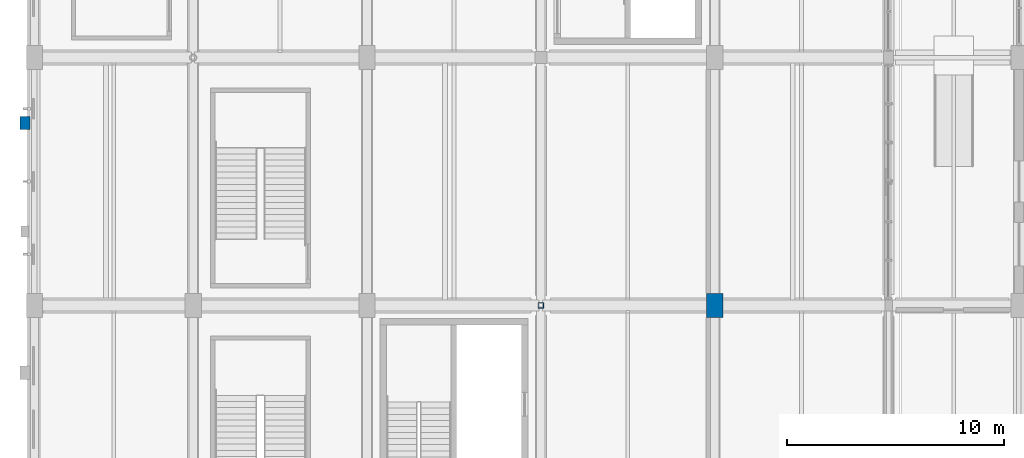
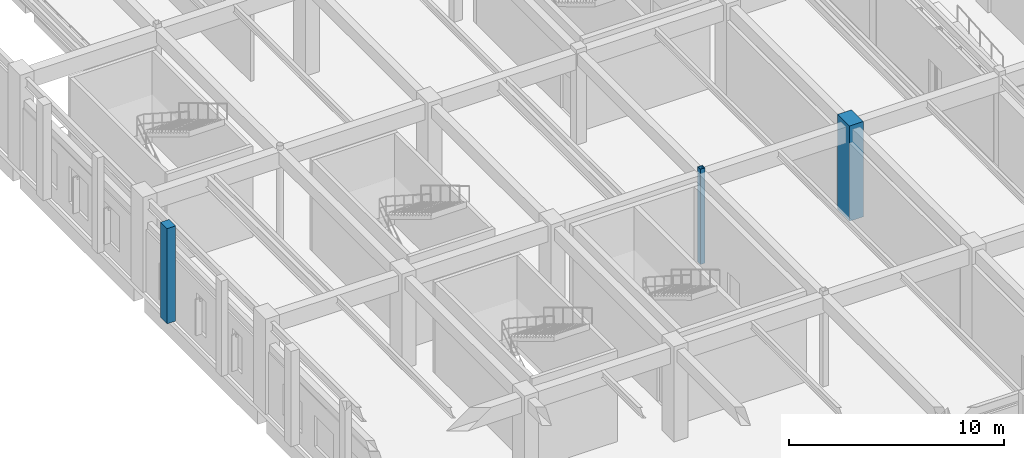
# One storey, part 2 of 113: 3 columns.
"""IFC4 building model written with IfcOpenShell, lengths in metres."""

from ifc_helpers import new_model, si_unit, direction, frame, origin, origin_2d, place, context, subcontext, project, spatial, rectangle, hollow_rectangle, extrude, material, material_profile, profile_set, type_object, element, save


model = new_model("IFC4")

# Units and contexts
model_context = context("Model", 3, precision=1e-05, world=origin(), true_north=direction((0.0, 1.0)))
body_context = subcontext(model_context, "Body", "Model", "MODEL_VIEW")
ifc_project = project(units=[si_unit("LENGTHUNIT", "METRE"), si_unit("AREAUNIT", "SQUARE_METRE"), si_unit("VOLUMEUNIT", "CUBIC_METRE"), si_unit("PLANEANGLEUNIT", "RADIAN"), si_unit("MASSUNIT", "GRAM", prefix="KILO"), si_unit("POWERUNIT", "WATT"), si_unit("THERMODYNAMICTEMPERATUREUNIT", "KELVIN")], contexts=[model_context])

# Site, building, storey
site_placement = place(None, origin())
site = spatial("IfcSite", under=ifc_project, at=site_placement, CompositionType="ELEMENT")
building_placement = place(site_placement, origin())
building = spatial("IfcBuilding", under=site, at=building_placement, Name="Kelmbourne Parkland Aquatics Centre", CompositionType="ELEMENT")
storey_placement = place(building_placement, origin())
storey = spatial("IfcBuildingStorey", under=building, at=storey_placement, Name="L00", CompositionType="ELEMENT", Elevation=0.0)

# Columns
ifc_material_1 = material(Name="Concrete C40/50", Category="concrete")
ifc_material_profile_1 = material_profile(ifc_material_1, rectangle(XDim=0.75, YDim=1.10009765625, at=origin_2d()), Name="RC 750x1100")
ifc_profile_set_1 = profile_set([ifc_material_profile_1], Name="Concrete C40/50")
column_type_1 = type_object("IfcColumnType", Name="COL-C03", PredefinedType="COLUMN", material=ifc_profile_set_1)
column_1_placement = place(storey_placement, frame((32.0, 23.60009765625, 0.0), z_axis=(0.0, 0.0, 1.0), x_axis=(1.0, 0.0, 0.0)))
element("IfcColumn", 1, at=column_1_placement, inside=storey, type_object=column_type_1, Name="Structural column E-04 (L00)", PredefinedType="COLUMN", context=body_context, shape_type="SweptSolid", body=[
    extrude(rectangle(XDim=0.75, YDim=1.10009765625, at=origin_2d()), origin(), (0.0, 0.0, 1.0), 5.39990234375),
])
ifc_material_2 = material(Name="Cold-formed hollow steel AS/NZS 1163 C350L0", Category="steel")
ifc_material_profile_2 = material_profile(ifc_material_2, hollow_rectangle(XDim=0.25, YDim=0.25, WallThickness=0.012451171875, at=origin_2d()), Name="SHS 250x250x12.5")
ifc_profile_set_2 = profile_set([ifc_material_profile_2], Name="Cold-formed hollow steel AS/NZS 1163 C350L0")
column_type_2 = type_object("IfcColumnType", Name="COL-C23", PredefinedType="COLUMN", material=ifc_profile_set_2)
column_2_placement = place(storey_placement, frame((24.0, 23.60009765625, 0.0), z_axis=(0.0, 0.0, 1.0), x_axis=(1.0, 0.0, 0.0)))
element("IfcColumn", 2, at=column_2_placement, inside=storey, type_object=column_type_2, Name="Structural column D-04 (L00)", PredefinedType="COLUMN", context=body_context, shape_type="SweptSolid", body=[
    extrude(hollow_rectangle(XDim=0.25, YDim=0.25, WallThickness=0.012451171875, at=origin_2d()), origin(), (0.0, 0.0, 1.0), 5.39990234375),
])
ifc_material_3 = material(Name="Clay brick masonry AS 3700 M12", Category="masonry")
ifc_material_profile_3 = material_profile(ifc_material_3, rectangle(XDim=0.449951171875, YDim=0.60009765625, at=origin_2d()), Name="PIL 450x600")
ifc_profile_set_3 = profile_set([ifc_material_profile_3], Name="Clay brick masonry AS 3700 M12")
column_type_3 = type_object("IfcColumnType", Name="PIL-PL2", PredefinedType="PILASTER", material=ifc_profile_set_3)
column_3_placement = place(storey_placement, frame((0.260009765625, 32.0, 0.0), z_axis=(0.0, 0.0, 1.0), x_axis=(1.0, 0.0, 0.0)))
element("IfcColumn", 3, at=column_3_placement, inside=storey, type_object=column_type_3, Name="Amsterdam School engaged brick buttress W-006 (L00)", PredefinedType="PILASTER", context=body_context, shape_type="SweptSolid", body=[
    extrude(rectangle(XDim=0.449951171875, YDim=0.60009765625, at=origin_2d()), origin(), (0.0, 0.0, 1.0), 5.39990234375),
])

save(model, "model.ifc")
